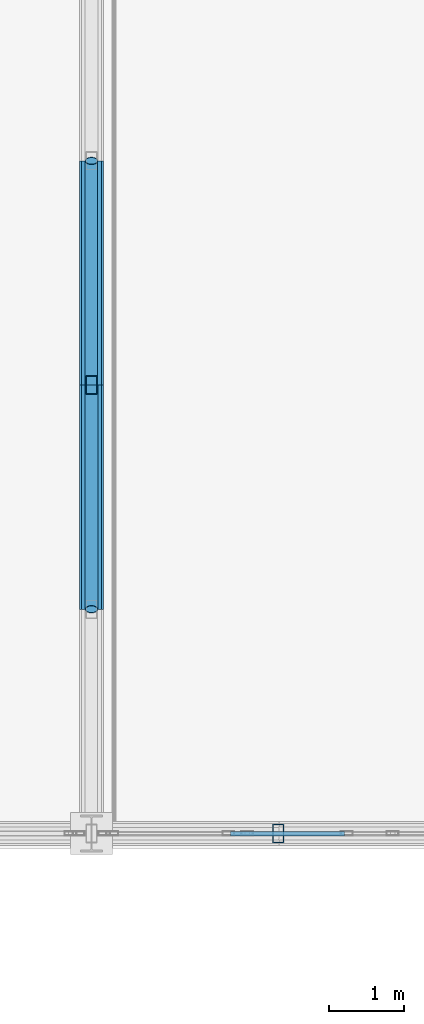
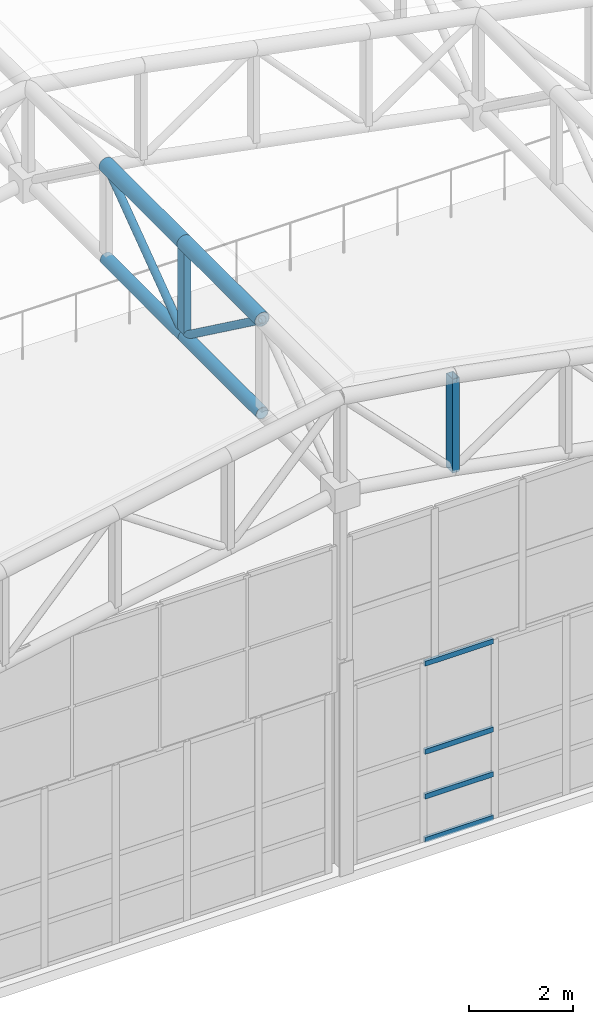
# One storey, part 49 of 112: 12 members, 1 element without a shape of its own.
"""IFC4 building model written with IfcOpenShell, lengths in metres."""

from ifc_helpers import new_model, si_unit, direction, frame, origin, origin_2d, place, context, subcontext, project, spatial, hollow_rectangle, hollow_circle, extrude, material, material_profile, profile_set, type_object, element, aggregate, save


model = new_model("IFC4")

# Units and contexts
model_context = context("Model", 3, precision=1e-05, world=origin(), true_north=direction((0.0, 1.0)))
body_context = subcontext(model_context, "Body", "Model", "MODEL_VIEW")
ifc_project = project(units=[si_unit("LENGTHUNIT", "METRE"), si_unit("AREAUNIT", "SQUARE_METRE"), si_unit("VOLUMEUNIT", "CUBIC_METRE"), si_unit("PLANEANGLEUNIT", "RADIAN"), si_unit("MASSUNIT", "GRAM", prefix="KILO")], contexts=[model_context])

# Site, building, storey
site_placement = place(None, origin())
site = spatial("IfcSite", under=ifc_project, at=site_placement, CompositionType="ELEMENT")
building_placement = place(site_placement, origin())
building = spatial("IfcBuilding", under=site, at=building_placement, Name="Kaldris Quays Convention Centre", CompositionType="ELEMENT")
storey_placement = place(building_placement, frame((0.0, 0.0, 16.800048828125)))
storey = spatial("IfcBuildingStorey", under=building, at=storey_placement, Name="L03", CompositionType="ELEMENT", Elevation=16.800048828125)

# Curtain wall, members
ifc_material_1 = material(Name="Anodized aluminium AW-6060 and triple glazing", Category="aluminium")
curtain_wall_type = type_object("IfcCurtainWallType", Name="UNITISED CURTAIN WALL CW01", PredefinedType="NOTDEFINED", material=ifc_material_1)
curtain_wall_placement = place(storey_placement, origin())
curtain_wall = element("IfcCurtainWall", 1, at=curtain_wall_placement, inside=storey, type_object=curtain_wall_type, Name="L03 Unitised Curtain Wall CW01 38", PredefinedType="NOTDEFINED")
ifc_material_2 = material(Name="Anodized aluminium AW-6060", Category="aluminium")
ifc_material_profile_1 = material_profile(ifc_material_2, hollow_rectangle(XDim=0.06005859375, YDim=0.1201171875, WallThickness=0.00390625, at=origin_2d()), Name="RHS 120x60x4")
ifc_profile_set_1 = profile_set([ifc_material_profile_1], Name="Anodized aluminium AW-6060")
member_type_1 = type_object("IfcMemberType", Name="CURTAIN TRANSOM CWT1", PredefinedType="USERDEFINED", material=ifc_profile_set_1)
member_1_placement = place(storey_placement, frame((185.86328125, 56.0, 0.030029296875), z_axis=(1.0, 0.0, 0.0), x_axis=(0.0, 1.0, 0.0)))
member_1 = element("IfcMember", 2, at=member_1_placement, type_object=member_type_1, Name="CW01 transom 2.1", ObjectType="TRANSOM", PredefinedType="USERDEFINED", context=body_context, shape_type="SweptSolid", body=[
    extrude(hollow_rectangle(XDim=0.06005859375, YDim=0.1201171875, WallThickness=0.00390625, at=origin_2d()), origin(), (0.0, 0.0, 1.0), 1.5234375),
])
member_2_placement = place(storey_placement, frame((185.86328125, 56.0, 1.050048828125), z_axis=(1.0, 0.0, 0.0), x_axis=(0.0, 1.0, 0.0)))
member_2 = element("IfcMember", 3, at=member_2_placement, type_object=member_type_1, Name="CW01 transom 2.2", ObjectType="TRANSOM", PredefinedType="USERDEFINED", context=body_context, shape_type="SweptSolid", body=[
    extrude(hollow_rectangle(XDim=0.06005859375, YDim=0.1201171875, WallThickness=0.00390625, at=origin_2d()), origin(), (0.0, 0.0, 1.0), 1.5234375),
])
member_3_placement = place(storey_placement, frame((185.86328125, 56.0, 2.099853515625), z_axis=(1.0, 0.0, 0.0), x_axis=(0.0, 1.0, 0.0)))
member_3 = element("IfcMember", 4, at=member_3_placement, type_object=member_type_1, Name="CW01 transom 2.3", ObjectType="TRANSOM", PredefinedType="USERDEFINED", context=body_context, shape_type="SweptSolid", body=[
    extrude(hollow_rectangle(XDim=0.06005859375, YDim=0.1201171875, WallThickness=0.00390625, at=origin_2d()), origin(), (0.0, 0.0, 1.0), 1.5234375),
])
member_4_placement = place(storey_placement, frame((185.86328125, 56.0, 4.169921875), z_axis=(1.0, 0.0, 0.0), x_axis=(0.0, 1.0, 0.0)))
member_4 = element("IfcMember", 5, at=member_4_placement, type_object=member_type_1, Name="CW01 transom 2.4", ObjectType="TRANSOM", PredefinedType="USERDEFINED", context=body_context, shape_type="SweptSolid", body=[
    extrude(hollow_rectangle(XDim=0.06005859375, YDim=0.1201171875, WallThickness=0.00390625, at=origin_2d()), origin(), (0.0, 0.0, 1.0), 1.5234375),
])
aggregate(curtain_wall, [member_1, member_2, member_3, member_4])

# Members
ifc_material_3 = material(Name="Steel S355J2H", Category="steel")
ifc_material_profile_2 = material_profile(ifc_material_3, hollow_circle(Radius=0.161865234375, WallThickness=0.01611328125, at=origin_2d()), Name="CHS 323.9x16")
ifc_profile_set_2 = profile_set([ifc_material_profile_2], Name="Steel S355J2H")
member_type_2 = type_object("IfcMemberType", Name="STRUCTURAL MEMBER SC03", PredefinedType="CHORD", material=ifc_profile_set_2)
for number, where, z_axis, x_axis, name in (
    (6, (184.0, 59.0, 11.072509765625), (0.0, 1.0, 0.0), (-1.0, 0.0, 0.0), "SF-V2 Top Chord Y 109"),
    (7, (184.0, 62.0, 11.072509765625), (0.0, 1.0, 0.0), (-1.0, 0.0, 0.0), "SF-V2 Top Chord Y 110"),
):
    element("IfcMember", number, at=place(storey_placement, frame(where, z_axis=z_axis, x_axis=x_axis)), inside=storey, type_object=member_type_2, Name=name, PredefinedType="CHORD", context=body_context, shape_type="SweptSolid", body=[
        extrude(hollow_circle(Radius=0.161865234375, WallThickness=0.01611328125, at=origin_2d()), origin(), (0.0, 0.0, 1.0), 3.0),
    ])
ifc_material_profile_3 = material_profile(ifc_material_3, hollow_circle(Radius=0.136474609375, WallThickness=0.012451171875, at=origin_2d()), Name="CHS 273x12.5")
ifc_profile_set_3 = profile_set([ifc_material_profile_3], Name="Steel S355J2H")
member_type_3 = type_object("IfcMemberType", Name="STRUCTURAL MEMBER SC04", PredefinedType="CHORD", material=ifc_profile_set_3)
for number, where, z_axis, x_axis, name in (
    (8, (184.0, 59.0, 8.87255859375), (0.0, 1.0, 0.0), (-1.0, 0.0, 0.0), "SF-V2 Bottom Chord Y 109"),
    (9, (184.0, 62.0, 8.87255859375), (0.0, 1.0, 0.0), (-1.0, 0.0, 0.0), "SF-V2 Bottom Chord Y 110"),
):
    element("IfcMember", number, at=place(storey_placement, frame(where, z_axis=z_axis, x_axis=x_axis)), inside=storey, type_object=member_type_3, Name=name, PredefinedType="CHORD", context=body_context, shape_type="SweptSolid", body=[
        extrude(hollow_circle(Radius=0.136474609375, WallThickness=0.012451171875, at=origin_2d()), origin(), (0.0, 0.0, 1.0), 3.0),
    ])
ifc_material_profile_4 = material_profile(ifc_material_3, hollow_circle(Radius=0.084228515625, WallThickness=0.008056640625, at=origin_2d()), Name="CHS 168.3x8")
ifc_profile_set_4 = profile_set([ifc_material_profile_4], Name="Steel S355J2H")
member_type_4 = type_object("IfcMemberType", Name="STRUCTURAL MEMBER SWB2", PredefinedType="BRACE", material=ifc_profile_set_4)
for number, where, z_axis, x_axis, name in (
    (10, (184.0, 62.0, 8.87255859375), (0.0, -0.80641125493, 0.591355128432), (1.0, 0.0, 0.0), "SF-V2 Web Diagonal Y 109"),
    (11, (184.0, 62.0, 8.87255859375), (0.0, 0.80641125493, 0.591355128432), (-1.0, 0.0, 0.0), "SF-V2 Web Diagonal Y 110"),
):
    element("IfcMember", number, at=place(storey_placement, frame(where, z_axis=z_axis, x_axis=x_axis)), inside=storey, type_object=member_type_4, Name=name, PredefinedType="BRACE", context=body_context, shape_type="SweptSolid", body=[
        extrude(hollow_circle(Radius=0.084228515625, WallThickness=0.008056640625, at=origin_2d()), origin(), (0.0, 0.0, 1.0), 3.72021484375),
    ])
ifc_material_profile_5 = material_profile(ifc_material_3, hollow_rectangle(XDim=0.14990234375, YDim=0.25, WallThickness=0.010009765625, at=origin_2d()), Name="RHS 250x150x10")
ifc_profile_set_5 = profile_set([ifc_material_profile_5], Name="Steel S355J2H")
member_type_5 = type_object("IfcMemberType", Name="STRUCTURAL MEMBER TTV1", PredefinedType="POST", material=ifc_profile_set_5)
for number, where, z_axis, x_axis, name in (
    (12, (184.0, 62.0, 8.87255859375), (0.0, 0.0, 1.0), (1.0, 0.0, 0.0), "SF-V2 Space-Frame Post 62"),
    (13, (186.5, 56.0, 8.506103515625), (0.0, 0.0, 1.0), (1.0, 0.0, 0.0), "SF-V2 Space-Frame Post 77"),
):
    element("IfcMember", number, at=place(storey_placement, frame(where, z_axis=z_axis, x_axis=x_axis)), inside=storey, type_object=member_type_5, Name=name, PredefinedType="POST", context=body_context, shape_type="SweptSolid", body=[
        extrude(hollow_rectangle(XDim=0.14990234375, YDim=0.25, WallThickness=0.010009765625, at=origin_2d()), origin(), (0.0, 0.0, 1.0), 2.199951171875),
    ])

save(model, "model.ifc")
